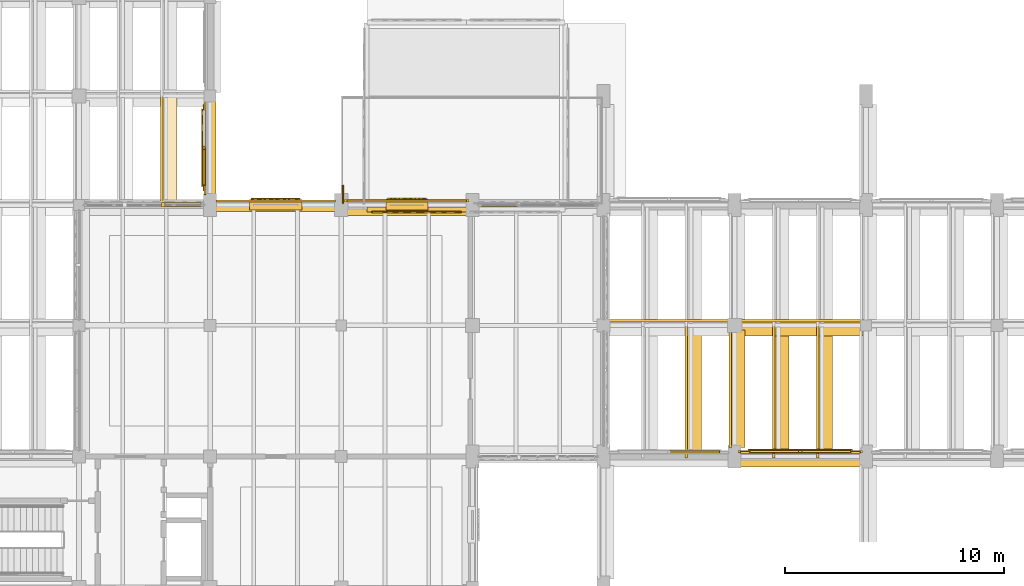
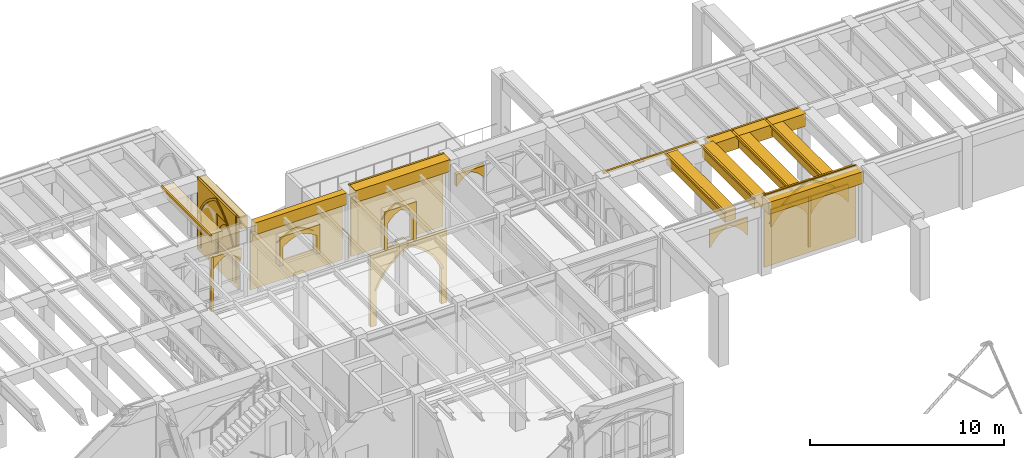
# One storey, part 114 of 127: 42 coverings, 1 railing.
"""IFC4 building model written with IfcOpenShell, lengths in metres."""

from ifc_helpers import new_model, si_unit, direction, frame, origin, origin_2d, place, context, subcontext, project, spatial, polyline, rectangle, circle, outline, extrude, material, type_object, element, save


model = new_model("IFC4")

# Units and contexts
model_context = context("Model", 3, precision=1e-05, world=origin(), true_north=direction((0.0, 1.0)))
body_context = subcontext(model_context, "Body", "Model", "MODEL_VIEW")
ifc_project = project(units=[si_unit("LENGTHUNIT", "METRE"), si_unit("AREAUNIT", "SQUARE_METRE"), si_unit("VOLUMEUNIT", "CUBIC_METRE"), si_unit("PLANEANGLEUNIT", "RADIAN"), si_unit("MASSUNIT", "GRAM", prefix="KILO")], contexts=[model_context])

# Site, building, storey
site_placement = place(None, origin())
site = spatial("IfcSite", under=ifc_project, at=site_placement, CompositionType="ELEMENT")
building_placement = place(site_placement, origin())
building = spatial("IfcBuilding", under=site, at=building_placement, Name="Cumevento Cable Car Station", CompositionType="ELEMENT")
storey_placement = place(building_placement, frame((0.0, 0.0, 4.5)))
storey = spatial("IfcBuildingStorey", under=building, at=storey_placement, Name="L02", CompositionType="ELEMENT", Elevation=4.5)

# Railing
ifc_material_1 = material(Name="Painted Galvanised Architectural Steel", Category="steel")
railing_type = type_object("IfcRailingType", Name="Terrace Guardrail GR-T150 1500", PredefinedType="GUARDRAIL", material=ifc_material_1)
railing_placement = place(storey_placement, frame((76.080078125, 56.580078125, 0.0)))
element("IfcRailing", 1, at=railing_placement, inside=storey, type_object=railing_type, Name="Panoramic Terrace Guardrail GR-T150 #22", PredefinedType="GUARDRAIL", context=body_context, shape_type="SweptSolid", body=[
    extrude(circle(Radius=0.02490234375, at=origin_2d()), frame((0.0, 0.0, 1.47509765625), z_axis=(0.0, 1.0, 0.0), x_axis=(-1.0, 0.0, 0.0)), (0.0, 0.0, 1.0), 0.81982421875),
    extrude(circle(Radius=0.02099609375, at=origin_2d()), origin(), (0.0, 0.0, 1.0), 1.449951171875),
    extrude(circle(Radius=0.02099609375, at=origin_2d()), frame((0.0, 0.81982421875, 0.0)), (0.0, 0.0, 1.0), 1.449951171875),
])

# Coverings
ifc_material_2 = material(Name="Gnaisse Facoidal Stone Ashlar 85 MPa", Category="masonry")
covering_type = type_object("IfcCoveringType", Name="Gnaisse Ashlar Cladding CV-CL01", PredefinedType="CLADDING", material=ifc_material_2)
covering_1_placement = place(storey_placement, frame((73.0, 56.409912109375, 3.702880859375), z_axis=(0.0, 0.0, 1.0), x_axis=(1.0, 0.0, 0.0)))
element("IfcCovering", 2, at=covering_1_placement, inside=storey, type_object=covering_type, Name="Gothic Stone Spandrel Stringcourse sc:0394", PredefinedType="CLADDING", context=body_context, shape_type="SweptSolid", body=[
    extrude(rectangle(XDim=5.4599609375, YDim=0.3798828125, at=origin_2d()), origin(), (0.0, 0.0, 1.0), 0.7470703125),
])
covering_2_placement = place(storey_placement, frame((79.0, 56.35009765625, 3.796875), z_axis=(0.0, 0.0, 1.0), x_axis=(1.0, 0.0, 0.0)))
element("IfcCovering", 3, at=covering_2_placement, inside=storey, type_object=covering_type, Name="Gothic Stone Spandrel Stringcourse sc:0395", PredefinedType="CLADDING", context=body_context, shape_type="SweptSolid", body=[
    extrude(rectangle(XDim=5.639892578125, YDim=0.659912109375, at=origin_2d()), origin(), (0.0, 0.0, 1.0), 0.7470703125),
])
covering_3_placement = place(storey_placement, frame((79.0, 56.70751953125, 4.4140625), z_axis=(0.0, 0.0, 1.0), x_axis=(1.0, 0.0, 0.0)))
element("IfcCovering", 4, at=covering_3_placement, inside=storey, type_object=covering_type, Name="Gothic Cornice Dripstone Lip sc:0395", PredefinedType="CLADDING", context=body_context, shape_type="SweptSolid", body=[
    extrude(rectangle(XDim=5.679931640625, YDim=0.114990234375, at=origin_2d()), origin(), (0.0, 0.0, 1.0), 0.1298828125),
])
covering_4_placement = place(storey_placement, frame((97.0, 44.85009765625, 3.722900390625), z_axis=(0.0, 0.0, 1.0), x_axis=(1.0, 0.0, 0.0)))
element("IfcCovering", 5, at=covering_4_placement, inside=storey, type_object=covering_type, Name="Gothic Stone Spandrel Stringcourse sc:0400", PredefinedType="CLADDING", context=body_context, shape_type="SweptSolid", body=[
    extrude(rectangle(XDim=5.639892578125, YDim=0.659912109375, at=origin_2d()), origin(), (0.0, 0.0, 1.0), 0.7470703125),
])
covering_5_placement = place(storey_placement, frame((97.0, 45.20751953125, 4.340087890625), z_axis=(0.0, 0.0, 1.0), x_axis=(1.0, 0.0, 0.0)))
element("IfcCovering", 6, at=covering_5_placement, inside=storey, type_object=covering_type, Name="Gothic Cornice Dripstone Lip sc:0400", PredefinedType="CLADDING", context=body_context, shape_type="SweptSolid", body=[
    extrude(rectangle(XDim=5.679931640625, YDim=0.114990234375, at=origin_2d()), origin(), (0.0, 0.0, 1.0), 0.1298828125),
])
covering_6_placement = place(storey_placement, frame((90.987548828125, 51.212890625, 4.340087890625), z_axis=(0.0, 0.0, 1.0), x_axis=(1.0, 0.0, 0.0)))
element("IfcCovering", 7, at=covering_6_placement, inside=storey, type_object=covering_type, Name="Gothic Cornice Dripstone Lip sc:0404", PredefinedType="CLADDING", context=body_context, shape_type="SweptSolid", body=[
    extrude(rectangle(XDim=5.655029296875, YDim=0.114990234375, at=origin_2d()), origin(), (0.0, 0.0, 1.0), 0.1298828125),
])
covering_7_placement = place(storey_placement, frame((97.03759765625, 50.85009765625, 3.6728515625), z_axis=(0.0, 0.0, 1.0), x_axis=(1.0, 0.0, 0.0)))
element("IfcCovering", 8, at=covering_7_placement, inside=storey, type_object=covering_type, Name="Gothic Stone Spandrel Stringcourse sc:0405", PredefinedType="CLADDING", context=body_context, shape_type="SweptSolid", body=[
    extrude(rectangle(XDim=5.6650390625, YDim=0.659912109375, at=origin_2d()), origin(), (0.0, 0.0, 1.0), 0.797119140625),
])
covering_8_placement = place(storey_placement, frame((97.03759765625, 51.20751953125, 4.340087890625), z_axis=(0.0, 0.0, 1.0), x_axis=(1.0, 0.0, 0.0)))
element("IfcCovering", 9, at=covering_8_placement, inside=storey, type_object=covering_type, Name="Gothic Cornice Dripstone Lip sc:0405", PredefinedType="CLADDING", context=body_context, shape_type="SweptSolid", body=[
    extrude(rectangle(XDim=5.705078125, YDim=0.114990234375, at=origin_2d()), origin(), (0.0, 0.0, 1.0), 0.1298828125),
])
covering_9_placement = place(storey_placement, frame((94.14990234375, 48.10009765625, 3.6728515625), z_axis=(0.0, 0.0, 1.0), x_axis=(0.0, 1.0, 0.0)))
element("IfcCovering", 10, at=covering_9_placement, inside=storey, type_object=covering_type, Name="Gothic Stone Spandrel Stringcourse sc:0414", PredefinedType="CLADDING", context=body_context, shape_type="SweptSolid", body=[
    extrude(rectangle(XDim=5.389892578125, YDim=0.659912109375, at=origin_2d()), origin(), (0.0, 0.0, 1.0), 0.797119140625),
])
covering_10_placement = place(storey_placement, frame((93.79248046875, 48.10009765625, 4.340087890625), z_axis=(0.0, 0.0, 1.0), x_axis=(0.0, 1.0, 0.0)))
element("IfcCovering", 11, at=covering_10_placement, inside=storey, type_object=covering_type, Name="Gothic Cornice Dripstone Lip sc:0414", PredefinedType="CLADDING", context=body_context, shape_type="SweptSolid", body=[
    extrude(rectangle(XDim=5.429931640625, YDim=0.114990234375, at=origin_2d()), origin(), (0.0, 0.0, 1.0), 0.1298828125),
])
covering_11_placement = place(storey_placement, frame((70.090087890625, 59.125, 3.702880859375), z_axis=(0.0, 0.0, 1.0), x_axis=(0.0, 1.0, 0.0)))
element("IfcCovering", 12, at=covering_11_placement, inside=storey, type_object=covering_type, Name="Gothic Stone Spandrel Stringcourse sc:0436", PredefinedType="CLADDING", context=body_context, shape_type="SweptSolid", body=[
    extrude(rectangle(XDim=4.260009765625, YDim=0.3798828125, at=origin_2d()), origin(), (0.0, 0.0, 1.0), 0.7470703125),
])
covering_12_placement = place(storey_placement, frame((92.14990234375, 47.99169921875, 3.77490234375), z_axis=(0.0, 0.0, 1.0), x_axis=(0.0, 1.0, 0.0)))
element("IfcCovering", 13, at=covering_12_placement, inside=storey, type_object=covering_type, Name="Gothic Stone Spandrel Stringcourse sc:0522", PredefinedType="CLADDING", context=body_context, shape_type="SweptSolid", body=[
    extrude(rectangle(XDim=6.069580078125, YDim=0.659912109375, at=origin_2d()), origin(), (0.0, 0.0, 1.0), 0.695068359375),
])
covering_13_placement = place(storey_placement, frame((91.79248046875, 47.99169921875, 4.340087890625), z_axis=(0.0, 0.0, 1.0), x_axis=(0.0, 1.0, 0.0)))
element("IfcCovering", 14, at=covering_13_placement, inside=storey, type_object=covering_type, Name="Gothic Cornice Dripstone Lip sc:0522", PredefinedType="CLADDING", context=body_context, shape_type="SweptSolid", body=[
    extrude(rectangle(XDim=6.109619140625, YDim=0.114990234375, at=origin_2d()), origin(), (0.0, 0.0, 1.0), 0.1298828125),
])
covering_14_placement = place(storey_placement, frame((96.14990234375, 47.9970703125, 3.77490234375), z_axis=(0.0, 0.0, 1.0), x_axis=(0.0, 1.0, 0.0)))
element("IfcCovering", 15, at=covering_14_placement, inside=storey, type_object=covering_type, Name="Gothic Stone Spandrel Stringcourse sc:0524", PredefinedType="CLADDING", context=body_context, shape_type="SweptSolid", body=[
    extrude(rectangle(XDim=6.080078125, YDim=0.659912109375, at=origin_2d()), origin(), (0.0, 0.0, 1.0), 0.695068359375),
])
covering_15_placement = place(storey_placement, frame((95.79248046875, 47.9970703125, 4.340087890625), z_axis=(0.0, 0.0, 1.0), x_axis=(0.0, 1.0, 0.0)))
element("IfcCovering", 16, at=covering_15_placement, inside=storey, type_object=covering_type, Name="Gothic Cornice Dripstone Lip sc:0524", PredefinedType="CLADDING", context=body_context, shape_type="SweptSolid", body=[
    extrude(rectangle(XDim=6.1201171875, YDim=0.114990234375, at=origin_2d()), origin(), (0.0, 0.0, 1.0), 0.1298828125),
])
covering_16_placement = place(storey_placement, frame((98.14990234375, 47.9970703125, 3.77490234375), z_axis=(0.0, 0.0, 1.0), x_axis=(0.0, 1.0, 0.0)))
element("IfcCovering", 17, at=covering_16_placement, inside=storey, type_object=covering_type, Name="Gothic Stone Spandrel Stringcourse sc:0526", PredefinedType="CLADDING", context=body_context, shape_type="SweptSolid", body=[
    extrude(rectangle(XDim=6.080078125, YDim=0.659912109375, at=origin_2d()), origin(), (0.0, 0.0, 1.0), 0.695068359375),
])
covering_17_placement = place(storey_placement, frame((97.79248046875, 47.9970703125, 4.340087890625), z_axis=(0.0, 0.0, 1.0), x_axis=(0.0, 1.0, 0.0)))
element("IfcCovering", 18, at=covering_17_placement, inside=storey, type_object=covering_type, Name="Gothic Cornice Dripstone Lip sc:0526", PredefinedType="CLADDING", context=body_context, shape_type="SweptSolid", body=[
    extrude(rectangle(XDim=6.1201171875, YDim=0.114990234375, at=origin_2d()), origin(), (0.0, 0.0, 1.0), 0.1298828125),
])
covering_18_placement = place(storey_placement, frame((68.14990234375, 59.0029296875, 3.908935546875), z_axis=(0.0, 0.0, 1.0), x_axis=(0.0, 1.0, 0.0)))
element("IfcCovering", 19, at=covering_18_placement, inside=storey, type_object=covering_type, Name="Gothic Stone Spandrel Stringcourse sc:0550", PredefinedType="CLADDING", context=body_context, shape_type="SweptSolid", body=[
    extrude(rectangle(XDim=5.077880859375, YDim=0.659912109375, at=origin_2d()), origin(), (0.0, 0.0, 1.0), 0.541015625),
])
covering_19_placement = place(storey_placement, frame((67.79248046875, 59.0029296875, 4.320068359375), z_axis=(0.0, 0.0, 1.0), x_axis=(0.0, 1.0, 0.0)))
element("IfcCovering", 20, at=covering_19_placement, inside=storey, type_object=covering_type, Name="Gothic Cornice Dripstone Lip sc:0550", PredefinedType="CLADDING", context=body_context, shape_type="SweptSolid", body=[
    extrude(rectangle(XDim=5.117919921875, YDim=0.114990234375, at=origin_2d()), origin(), (0.0, 0.0, 1.0), 0.1298828125),
])
covering_20_placement = place(storey_placement, frame((64.25, 56.5, -0.3701171875), z_axis=(0.0, 0.0, 1.0), x_axis=(1.0, 0.0, 0.0)))
element("IfcCovering", 21, at=covering_20_placement, inside=storey, type_object=covering_type, Name="Gothic Bifora Stone Colonnette cw_ogival:0059 #2", PredefinedType="CLADDING", context=body_context, shape_type="SweptSolid", body=[
    extrude(outline(polyline([(3.530029296875, -0.02001953125), (3.679931640625, -0.02001953125), (3.679931640625, 3.3779296875), (3.530029296875, 3.3779296875), (3.530029296875, -0.02001953125)])), frame((0.0, 0.1279296875, 0.0), z_axis=(0.0, -1.0, 0.0), x_axis=(1.0, 0.0, 0.0)), (0.0, 0.0, 1.0), 0.205078125),
])
covering_21_placement = place(storey_placement, frame((67.89990234375, 56.5, 2.265625), z_axis=(0.0, 0.0, 1.0), x_axis=(1.0, 0.0, 0.0)))
element("IfcCovering", 22, at=covering_21_placement, inside=storey, type_object=covering_type, Name="Gothic Ogival Pointed-Arch Stone Spandrel cw_ogival:0059:sub:2", PredefinedType="CLADDING", context=body_context, shape_type="SweptSolid", body=[
    extrude(outline(polyline([(-0.02001953125, 0.0), (-0.02001953125, 0.7421875), (1.68994140625, 0.7421875), (1.68994140625, 0.0), (1.6298828125, 0.0), (1.5263671875, 0.1357421875), (1.409423828125, 0.26025390625), (1.2802734375, 0.372314453125), (1.140625, 0.470703125), (0.99169921875, 0.55419921875), (0.8349609375, 0.622314453125), (0.67822265625, 0.55419921875), (0.529296875, 0.470703125), (0.3896484375, 0.372314453125), (0.260498046875, 0.26025390625), (0.1435546875, 0.1357421875), (0.0400390625, 0.0), (-0.02001953125, 0.0)])), frame((0.0, 0.1240234375, 0.0), z_axis=(0.0, -1.0, 0.0), x_axis=(1.0, 0.0, 0.0)), (0.0, 0.0, 1.0), 0.199951171875),
])
covering_22_placement = place(storey_placement, frame((82.429931640625, 56.5, 2.388671875), z_axis=(0.0, 0.0, 1.0), x_axis=(1.0, 0.0, 0.0)))
element("IfcCovering", 23, at=covering_22_placement, inside=storey, type_object=covering_type, Name="Gothic Ogival Pointed-Arch Stone Spandrel cw_ogival:0061:sub:0", PredefinedType="CLADDING", context=body_context, shape_type="SweptSolid", body=[
    extrude(outline(polyline([(-0.02001953125, 0.0), (-0.02001953125, 0.7490234375), (1.67333984375, 0.7490234375), (1.67333984375, 0.0), (1.61328125, 0.0), (1.51171875, 0.136962890625), (1.396728515625, 0.2626953125), (1.269287109375, 0.3759765625), (1.130615234375, 0.4755859375), (0.982666015625, 0.56005859375), (0.82666015625, 0.62890625), (0.670654296875, 0.56005859375), (0.522705078125, 0.4755859375), (0.384033203125, 0.3759765625), (0.256591796875, 0.2626953125), (0.1416015625, 0.136962890625), (0.0400390625, 0.0), (-0.02001953125, 0.0)])), frame((0.0, 0.1240234375, 0.0), z_axis=(0.0, -1.0, 0.0), x_axis=(1.0, 0.0, 0.0)), (0.0, 0.0, 1.0), 0.199951171875),
])
covering_23_placement = place(storey_placement, frame((91.044921875, 45.0, 2.340087890625), z_axis=(0.0, 0.0, 1.0), x_axis=(1.0, 0.0, 0.0)))
element("IfcCovering", 24, at=covering_23_placement, inside=storey, type_object=covering_type, Name="Gothic Ogival Pointed-Arch Stone Spandrel blind_ogival:0048:sub:1", PredefinedType="CLADDING", context=body_context, shape_type="SweptSolid", body=[
    extrude(outline(polyline([(-0.02001953125, 0.0), (-0.02001953125, 1.115966796875), (2.264892578125, 1.115966796875), (2.264892578125, 0.0), (2.205078125, 0.0), (2.076171875, 0.214111328125), (1.923828125, 0.412109375), (1.75, 0.591552734375), (1.556640625, 0.75), (1.3466796875, 0.88525390625), (1.12255859375, 0.99609375), (0.8984375, 0.88525390625), (0.6884765625, 0.75), (0.4951171875, 0.591552734375), (0.3212890625, 0.412109375), (0.1689453125, 0.214111328125), (0.0400390625, 0.0), (-0.02001953125, 0.0)])), frame((0.0, 0.25390625, 0.0), z_axis=(0.0, -1.0, 0.0), x_axis=(1.0, 0.0, 0.0)), (0.0, 0.0, 1.0), 0.090087890625),
])
covering_24_placement = place(storey_placement, frame((94.300048828125, 45.0, 0.0), z_axis=(0.0, 0.0, 1.0), x_axis=(1.0, 0.0, 0.0)))
element("IfcCovering", 25, at=covering_24_placement, inside=storey, type_object=covering_type, Name="Exterior Gnaisse Stone Wall Ashlar #49", PredefinedType="CLADDING", context=body_context, shape_type="SweptSolid", body=[
    extrude(outline(polyline([(-0.0400390625, -0.02001953125), (5.43994140625, -0.02001953125), (5.43994140625, 4.52001953125), (-0.0400390625, 4.52001953125), (-0.0400390625, -0.02001953125)])), frame((0.0, 0.22509765625, 0.0), z_axis=(0.0, -1.0, 0.0), x_axis=(1.0, 0.0, 0.0)), (0.0, 0.0, 1.0), 0.0849609375),
])
placement_1 = place(storey_placement, frame((94.47998046875, 45.0, 0.300048828125), z_axis=(0.0, 0.0, 1.0), x_axis=(1.0, 0.0, 0.0)))
element("IfcCovering", 26, at=placement_1, inside=storey, type_object=covering_type, Name="Gothic Ogival Pointed-Arch Stone Spandrel blind_ogival:0049", PredefinedType="CLADDING", context=body_context, shape_type="SweptSolid", body=[
    extrude(outline(polyline([(-0.050048828125, 0.0), (-0.050048828125, 4.239990234375), (5.090087890625, 4.239990234375), (5.090087890625, 0.0), (4.780029296875, 0.0), (4.780029296875, 2.219970703125), (4.531982421875, 2.55810546875), (4.255126953125, 2.872802734375), (3.951416015625, 3.161865234375), (3.62353515625, 3.423095703125), (3.273681640625, 3.654296875), (2.905029296875, 3.853759765625), (2.52001953125, 4.02001953125), (2.135009765625, 3.853759765625), (1.766357421875, 3.654296875), (1.41650390625, 3.423095703125), (1.088623046875, 3.161865234375), (0.784912109375, 2.872802734375), (0.508056640625, 2.55810546875), (0.260009765625, 2.219970703125), (0.260009765625, 0.0), (-0.050048828125, 0.0)])), frame((0.0, 0.280029296875, 0.0), z_axis=(0.0, -1.0, 0.0), x_axis=(1.0, 0.0, 0.0)), (0.0, 0.0, 1.0), 0.110107421875),
])
covering_26_placement = place(storey_placement, frame((94.47998046875, 45.0, 2.52001953125), z_axis=(0.0, 0.0, 1.0), x_axis=(1.0, 0.0, 0.0)))
element("IfcCovering", 27, at=covering_26_placement, inside=storey, type_object=covering_type, Name="Gothic Pointed Archivolt Hood Moulding blind_ogival:0049", PredefinedType="CLADDING", context=body_context, shape_type="SweptSolid", body=[
    extrude(outline(polyline([(0.260009765625, 0.0), (0.508056640625, 0.338134765625), (0.784912109375, 0.65283203125), (1.088623046875, 0.94189453125), (1.41650390625, 1.203125), (1.766357421875, 1.434326171875), (2.135009765625, 1.6337890625), (2.52001953125, 1.800048828125), (2.905029296875, 1.6337890625), (3.273681640625, 1.434326171875), (3.62353515625, 1.203125), (3.951416015625, 0.94189453125), (4.255126953125, 0.65283203125), (4.531982421875, 0.338134765625), (4.780029296875, 0.0), (4.90087890625, 0.0), (4.6435546875, 0.365478515625), (4.354248046875, 0.706298828125), (4.03564453125, 1.01953125), (3.689697265625, 1.302978515625), (3.31982421875, 1.553955078125), (2.928955078125, 1.770751953125), (2.52001953125, 1.951171875), (2.111083984375, 1.770751953125), (1.72021484375, 1.553955078125), (1.350341796875, 1.302978515625), (1.00439453125, 1.01953125), (0.685791015625, 0.706298828125), (0.396484375, 0.365478515625), (0.138916015625, 0.0), (0.260009765625, 0.0)])), frame((0.0, 0.322021484375, 0.0), z_axis=(0.0, -1.0, 0.0), x_axis=(1.0, 0.0, 0.0)), (0.0, 0.0, 1.0), 0.06689453125),
])
element("IfcCovering", 28, at=placement_1, inside=storey, type_object=covering_type, Name="Gothic Bifora Stone Colonnette blind_ogival:0049 #1", PredefinedType="CLADDING", context=body_context, shape_type="SweptSolid", body=[
    extrude(outline(polyline([(2.445068359375, -0.02001953125), (2.594970703125, -0.02001953125), (2.594970703125, 3.156005859375), (2.445068359375, 3.156005859375), (2.445068359375, -0.02001953125)])), frame((0.0, 0.26806640625, 0.0), z_axis=(0.0, -1.0, 0.0), x_axis=(1.0, 0.0, 0.0)), (0.0, 0.0, 1.0), 0.094970703125),
])
for number, where, z_axis, x_axis, name in (
    (29, (94.7099609375, 45.0, 2.340087890625), (0.0, 0.0, 1.0), (1.0, 0.0, 0.0), "Gothic Ogival Pointed-Arch Stone Spandrel blind_ogival:0049:sub:0"),
    (30, (97.044921875, 45.0, 2.340087890625), (0.0, 0.0, 1.0), (1.0, 0.0, 0.0), "Gothic Ogival Pointed-Arch Stone Spandrel blind_ogival:0049:sub:1"),
):
    element("IfcCovering", number, at=place(storey_placement, frame(where, z_axis=z_axis, x_axis=x_axis)), inside=storey, type_object=covering_type, Name=name, PredefinedType="CLADDING", context=body_context, shape_type="SweptSolid", body=[
        extrude(outline(polyline([(-0.02001953125, 0.0), (-0.02001953125, 1.115966796875), (2.264892578125, 1.115966796875), (2.264892578125, 0.0), (2.205078125, 0.0), (2.076171875, 0.214111328125), (1.923828125, 0.412109375), (1.75, 0.591552734375), (1.556640625, 0.75), (1.3466796875, 0.88525390625), (1.12255859375, 0.99609375), (0.8984375, 0.88525390625), (0.6884765625, 0.75), (0.4951171875, 0.591552734375), (0.3212890625, 0.412109375), (0.1689453125, 0.214111328125), (0.0400390625, 0.0), (-0.02001953125, 0.0)])), frame((0.0, 0.263916015625, 0.0), z_axis=(0.0, -1.0, 0.0), x_axis=(1.0, 0.0, 0.0)), (0.0, 0.0, 1.0), 0.090087890625),
    ])
covering_28_placement = place(storey_placement, frame((70.0, 57.02490234375, 0.0), z_axis=(0.0, 0.0, 1.0), x_axis=(0.0, 1.0, 0.0)))
element("IfcCovering", 31, at=covering_28_placement, inside=storey, type_object=covering_type, Name="Exterior Gnaisse Stone Wall Ashlar #71", PredefinedType="CLADDING", context=body_context, shape_type="SweptSolid", body=[
    extrude(outline(polyline([(-0.0400390625, -0.02001953125), (4.239990234375, -0.02001953125), (4.239990234375, 4.52001953125), (-0.0400390625, 4.52001953125), (-0.0400390625, -0.02001953125)])), frame((0.0, 0.27490234375, 0.0), z_axis=(0.0, -1.0, 0.0), x_axis=(1.0, 0.0, 0.0)), (0.0, 0.0, 1.0), 0.0849609375),
])
placement_2 = place(storey_placement, frame((70.0, 57.205078125, 0.300048828125), z_axis=(0.0, 0.0, 1.0), x_axis=(0.0, 1.0, 0.0)))
element("IfcCovering", 32, at=placement_2, inside=storey, type_object=covering_type, Name="Gothic Ogival Pointed-Arch Stone Spandrel blind_ogival:0071", PredefinedType="CLADDING", context=body_context, shape_type="SweptSolid", body=[
    extrude(outline(polyline([(-0.050048828125, 0.0), (-0.050048828125, 4.239990234375), (3.889892578125, 4.239990234375), (3.889892578125, 0.0), (3.580078125, 0.0), (3.580078125, 2.219970703125), (3.434326171875, 2.547119140625), (3.25390625, 2.8564453125), (3.041015625, 3.14453125), (2.798095703125, 3.407958984375), (2.5283203125, 3.643310546875), (2.234375, 3.84814453125), (1.919921875, 4.02001953125), (1.605712890625, 3.84814453125), (1.311767578125, 3.643310546875), (1.0419921875, 3.407958984375), (0.799072265625, 3.14453125), (0.586181640625, 2.8564453125), (0.40576171875, 2.547119140625), (0.260009765625, 2.219970703125), (0.260009765625, 0.0), (-0.050048828125, 0.0)])), frame((0.0, 0.330078125, 0.0), z_axis=(0.0, -1.0, 0.0), x_axis=(1.0, 0.0, 0.0)), (0.0, 0.0, 1.0), 0.110107421875),
])
covering_30_placement = place(storey_placement, frame((70.0, 57.205078125, 2.52001953125), z_axis=(0.0, 0.0, 1.0), x_axis=(0.0, 1.0, 0.0)))
element("IfcCovering", 33, at=covering_30_placement, inside=storey, type_object=covering_type, Name="Gothic Pointed Archivolt Hood Moulding blind_ogival:0071", PredefinedType="CLADDING", context=body_context, shape_type="SweptSolid", body=[
    extrude(outline(polyline([(0.260009765625, 0.0), (0.40576171875, 0.3271484375), (0.586181640625, 0.636474609375), (0.799072265625, 0.924560546875), (1.0419921875, 1.18798828125), (1.311767578125, 1.42333984375), (1.605712890625, 1.628173828125), (1.919921875, 1.800048828125), (2.234375, 1.628173828125), (2.5283203125, 1.42333984375), (2.798095703125, 1.18798828125), (3.041015625, 0.924560546875), (3.25390625, 0.636474609375), (3.434326171875, 0.3271484375), (3.580078125, 0.0), (3.700927734375, 0.0), (3.546142578125, 0.354248046875), (3.353759765625, 0.689453125), (3.125732421875, 1.001708984375), (2.865234375, 1.287109375), (2.574951171875, 1.54248046875), (2.2587890625, 1.764892578125), (1.919921875, 1.951171875), (1.581298828125, 1.764892578125), (1.26513671875, 1.54248046875), (0.974853515625, 1.287109375), (0.71435546875, 1.001708984375), (0.486328125, 0.689453125), (0.2939453125, 0.354248046875), (0.138916015625, 0.0), (0.260009765625, 0.0)])), frame((0.0, 0.3720703125, 0.0), z_axis=(0.0, -1.0, 0.0), x_axis=(1.0, 0.0, 0.0)), (0.0, 0.0, 1.0), 0.06689453125),
])
element("IfcCovering", 34, at=placement_2, inside=storey, type_object=covering_type, Name="Gothic Bifora Stone Colonnette blind_ogival:0071 #1", PredefinedType="CLADDING", context=body_context, shape_type="SweptSolid", body=[
    extrude(outline(polyline([(1.844970703125, -0.02001953125), (1.9951171875, -0.02001953125), (1.9951171875, 3.156005859375), (1.844970703125, 3.156005859375), (1.844970703125, -0.02001953125)])), frame((0.0, 0.318115234375, 0.0), z_axis=(0.0, -1.0, 0.0), x_axis=(1.0, 0.0, 0.0)), (0.0, 0.0, 1.0), 0.094970703125),
])
covering_32_placement = place(storey_placement, frame((70.0, 57.43505859375, 2.340087890625), z_axis=(0.0, 0.0, 1.0), x_axis=(0.0, 1.0, 0.0)))
element("IfcCovering", 35, at=covering_32_placement, inside=storey, type_object=covering_type, Name="Gothic Ogival Pointed-Arch Stone Spandrel blind_ogival:0071:sub:0", PredefinedType="CLADDING", context=body_context, shape_type="SweptSolid", body=[
    extrude(outline(polyline([(-0.02001953125, 0.0), (-0.02001953125, 1.115966796875), (1.6650390625, 1.115966796875), (1.6650390625, 0.0), (1.60498046875, 0.0), (1.536865234375, 0.206298828125), (1.44091796875, 0.40087890625), (1.31884765625, 0.58056640625), (1.17333984375, 0.74169921875), (1.0068359375, 0.881103515625), (0.822509765625, 0.99609375), (0.63818359375, 0.881103515625), (0.4716796875, 0.74169921875), (0.326171875, 0.58056640625), (0.2041015625, 0.40087890625), (0.108154296875, 0.206298828125), (0.0400390625, 0.0), (-0.02001953125, 0.0)])), frame((0.0, 0.31396484375, 0.0), z_axis=(0.0, -1.0, 0.0), x_axis=(1.0, 0.0, 0.0)), (0.0, 0.0, 1.0), 0.090087890625),
])
covering_33_placement = place(storey_placement, frame((70.300048828125, 56.5, 0.0), z_axis=(0.0, 0.0, 1.0), x_axis=(1.0, 0.0, 0.0)))
element("IfcCovering", 36, at=covering_33_placement, inside=storey, type_object=covering_type, Name="Exterior Gnaisse Stone Wall Ashlar #200", PredefinedType="CLADDING", context=body_context, shape_type="SweptSolid", body=[
    extrude(outline(polyline([(-0.0400390625, -0.02001953125), (5.43994140625, -0.02001953125), (5.43994140625, 3.782958984375), (-0.0400390625, 3.782958984375), (-0.0400390625, -0.02001953125)]), holes=[polyline([(1.68505859375, 1.2099609375), (3.715087890625, 1.2099609375), (3.715087890625, 2.739990234375), (1.68505859375, 2.739990234375), (1.68505859375, 1.2099609375)])]), frame((0.0, 0.22998046875, 0.0), z_axis=(0.0, -1.0, 0.0), x_axis=(1.0, 0.0, 0.0)), (0.0, 0.0, 1.0), 0.0849609375),
])
covering_34_placement = place(storey_placement, frame((71.8349609375, 56.5, 1.14990234375), z_axis=(0.0, 0.0, 1.0), x_axis=(1.0, 0.0, 0.0)))
element("IfcCovering", 37, at=covering_34_placement, inside=storey, type_object=covering_type, Name="Gothic Ogival Pointed-Arch Stone Spandrel op_ogival:0200:1", PredefinedType="CLADDING", context=body_context, shape_type="SweptSolid", body=[
    extrude(outline(polyline([(-0.0400390625, 0.0), (-0.0400390625, 1.820068359375), (2.3701171875, 1.820068359375), (2.3701171875, 0.0), (2.18994140625, 0.0), (2.18994140625, 1.166015625), (2.056396484375, 1.25830078125), (1.917724609375, 1.3427734375), (1.7744140625, 1.419189453125), (1.627197265625, 1.4873046875), (1.47607421875, 1.546875), (1.32177734375, 1.597900390625), (1.1650390625, 1.64013671875), (1.00830078125, 1.597900390625), (0.85400390625, 1.546875), (0.702880859375, 1.4873046875), (0.5556640625, 1.419189453125), (0.412353515625, 1.3427734375), (0.273681640625, 1.25830078125), (0.139892578125, 1.166015625), (0.139892578125, 0.0), (-0.0400390625, 0.0)])), frame((0.0, 0.26806640625, 0.0), z_axis=(0.0, -1.0, 0.0), x_axis=(1.0, 0.0, 0.0)), (0.0, 0.0, 1.0), 0.489990234375),
])
covering_35_placement = place(storey_placement, frame((71.8349609375, 56.5, 2.31591796875), z_axis=(0.0, 0.0, 1.0), x_axis=(1.0, 0.0, 0.0)))
element("IfcCovering", 38, at=covering_35_placement, inside=storey, type_object=covering_type, Name="Gothic Pointed Archivolt Hood Moulding op_ogival:0200:1", PredefinedType="CLADDING", context=body_context, shape_type="SweptSolid", body=[
    extrude(outline(polyline([(0.139892578125, 0.0), (0.273681640625, 0.09228515625), (0.412353515625, 0.1767578125), (0.5556640625, 0.253173828125), (0.702880859375, 0.3212890625), (0.85400390625, 0.380859375), (1.00830078125, 0.431884765625), (1.1650390625, 0.47412109375), (1.32177734375, 0.431884765625), (1.47607421875, 0.380859375), (1.627197265625, 0.3212890625), (1.7744140625, 0.253173828125), (1.917724609375, 0.1767578125), (2.056396484375, 0.09228515625), (2.18994140625, 0.0), (2.2890625, 0.0), (2.146728515625, 0.115478515625), (1.9970703125, 0.2216796875), (1.841064453125, 0.31787109375), (1.67919921875, 0.404052734375), (1.511962890625, 0.4794921875), (1.340576171875, 0.544189453125), (1.1650390625, 0.59765625), (0.989501953125, 0.544189453125), (0.818115234375, 0.4794921875), (0.65087890625, 0.404052734375), (0.489013671875, 0.31787109375), (0.3330078125, 0.2216796875), (0.183349609375, 0.115478515625), (0.041015625, 0.0), (0.139892578125, 0.0)])), frame((0.0, 0.31005859375, 0.0), z_axis=(0.0, -1.0, 0.0), x_axis=(1.0, 0.0, 0.0)), (0.0, 0.0, 1.0), 0.06689453125),
])
covering_36_placement = place(storey_placement, frame((76.300048828125, 56.5, 0.0), z_axis=(0.0, 0.0, 1.0), x_axis=(1.0, 0.0, 0.0)))
element("IfcCovering", 39, at=covering_36_placement, inside=storey, type_object=covering_type, Name="Exterior Gnaisse Stone Wall Ashlar #201", PredefinedType="CLADDING", context=body_context, shape_type="SweptSolid", body=[
    extrude(outline(polyline([(-0.0400390625, -0.02001953125), (5.43994140625, -0.02001953125), (5.43994140625, 3.876953125), (-0.0400390625, 3.876953125), (-0.0400390625, -0.02001953125)]), holes=[polyline([(1.929931640625, 0.02001953125), (3.469970703125, 0.02001953125), (3.469970703125, 2.169921875), (1.929931640625, 2.169921875), (1.929931640625, 0.02001953125)])]), frame((0.0, 0.237548828125, 0.0), z_axis=(0.0, -1.0, 0.0), x_axis=(1.0, 0.0, 0.0)), (0.0, 0.0, 1.0), 0.0849609375),
])
covering_37_placement = place(storey_placement, frame((78.080078125, 56.5, -0.050048828125), z_axis=(0.0, 0.0, 1.0), x_axis=(1.0, 0.0, 0.0)))
element("IfcCovering", 40, at=covering_37_placement, inside=storey, type_object=covering_type, Name="Gothic Ogival Pointed-Arch Stone Spandrel op_ogival:0201:1", PredefinedType="CLADDING", context=body_context, shape_type="SweptSolid", body=[
    extrude(outline(polyline([(-0.0400390625, 0.0), (-0.0400390625, 2.449951171875), (1.8798828125, 2.449951171875), (1.8798828125, 0.0), (1.699951171875, 0.0), (1.699951171875, 1.61962890625), (1.616455078125, 1.7412109375), (1.522216796875, 1.854736328125), (1.418212890625, 1.959228515625), (1.3046875, 2.0537109375), (1.183349609375, 2.137451171875), (1.0546875, 2.209716796875), (0.919921875, 2.27001953125), (0.785400390625, 2.209716796875), (0.65673828125, 2.137451171875), (0.535400390625, 2.0537109375), (0.421875, 1.959228515625), (0.31787109375, 1.854736328125), (0.2236328125, 1.7412109375), (0.139892578125, 1.61962890625), (0.139892578125, 0.0), (-0.0400390625, 0.0)])), frame((0.0, 0.275390625, 0.0), z_axis=(0.0, -1.0, 0.0), x_axis=(1.0, 0.0, 0.0)), (0.0, 0.0, 1.0), 0.5048828125),
])
covering_38_placement = place(storey_placement, frame((78.080078125, 56.5, 1.569580078125), z_axis=(0.0, 0.0, 1.0), x_axis=(1.0, 0.0, 0.0)))
element("IfcCovering", 41, at=covering_38_placement, inside=storey, type_object=covering_type, Name="Gothic Pointed Archivolt Hood Moulding op_ogival:0201:1", PredefinedType="CLADDING", context=body_context, shape_type="SweptSolid", body=[
    extrude(outline(polyline([(0.139892578125, 0.0), (0.2236328125, 0.12158203125), (0.31787109375, 0.235107421875), (0.421875, 0.339599609375), (0.535400390625, 0.43408203125), (0.65673828125, 0.517822265625), (0.785400390625, 0.590087890625), (0.919921875, 0.650390625), (1.0546875, 0.590087890625), (1.183349609375, 0.517822265625), (1.3046875, 0.43408203125), (1.418212890625, 0.339599609375), (1.522216796875, 0.235107421875), (1.616455078125, 0.12158203125), (1.699951171875, 0.0), (1.799072265625, 0.0), (1.7080078125, 0.14404296875), (1.603759765625, 0.27880859375), (1.487060546875, 0.40283203125), (1.359130859375, 0.515625), (1.22119140625, 0.615478515625), (1.074462890625, 0.701904296875), (0.919921875, 0.774169921875), (0.765625, 0.701904296875), (0.618896484375, 0.615478515625), (0.48095703125, 0.515625), (0.35302734375, 0.40283203125), (0.236328125, 0.27880859375), (0.132080078125, 0.14404296875), (0.041015625, 0.0), (0.139892578125, 0.0)])), frame((0.0, 0.3173828125, 0.0), z_axis=(0.0, -1.0, 0.0), x_axis=(1.0, 0.0, 0.0)), (0.0, 0.0, 1.0), 0.06689453125),
])
covering_39_placement = place(storey_placement, frame((81.699951171875, 56.35009765625, -4.52001953125), z_axis=(0.0, 0.0, 1.0), x_axis=(-1.0, 0.0, 0.0)))
element("IfcCovering", 42, at=covering_39_placement, inside=storey, type_object=covering_type, Name="Gothic Ogival Pointed-Arch Stone Spandrel cumevento_plinth:bank_arch:SLOPE_NE_W:S:0", PredefinedType="CLADDING", context=body_context, shape_type="SweptSolid", body=[
    extrude(outline(polyline([(-0.030029296875, 0.0), (-0.030029296875, 4.52001953125), (4.530029296875, 4.52001953125), (4.530029296875, 0.0), (4.179931640625, 0.0), (4.179931640625, 2.25), (3.974365234375, 2.683837890625), (3.71630859375, 3.088623046875), (3.40966796875, 3.458251953125), (3.059326171875, 3.78662109375), (2.670654296875, 4.068603515625), (2.25, 4.300048828125), (1.829345703125, 4.068603515625), (1.440673828125, 3.78662109375), (1.09033203125, 3.458251953125), (0.78369140625, 3.088623046875), (0.525634765625, 2.683837890625), (0.320068359375, 2.25), (0.320068359375, 0.0), (-0.030029296875, 0.0)])), frame((0.0, 0.159912109375, 0.0), z_axis=(0.0, -1.0, 0.0), x_axis=(1.0, 0.0, 0.0)), (0.0, 0.0, 1.0), 0.219970703125),
])
covering_40_placement = place(storey_placement, frame((81.699951171875, 56.35009765625, -2.27001953125), z_axis=(0.0, 0.0, 1.0), x_axis=(-1.0, 0.0, 0.0)))
element("IfcCovering", 43, at=covering_40_placement, inside=storey, type_object=covering_type, Name="Gothic Pointed Archivolt Hood Moulding cumevento_plinth:bank_arch:SLOPE_NE_W:S:0", PredefinedType="CLADDING", context=body_context, shape_type="SweptSolid", body=[
    extrude(outline(polyline([(0.320068359375, 0.0), (0.525634765625, 0.433837890625), (0.78369140625, 0.838623046875), (1.09033203125, 1.208251953125), (1.440673828125, 1.53662109375), (1.829345703125, 1.818603515625), (2.25, 2.050048828125), (2.670654296875, 1.818603515625), (3.059326171875, 1.53662109375), (3.40966796875, 1.208251953125), (3.71630859375, 0.838623046875), (3.974365234375, 0.433837890625), (4.179931640625, 0.0), (4.301025390625, 0.0), (4.08447265625, 0.46533203125), (3.811279296875, 0.89990234375), (3.48583984375, 1.296630859375), (3.113037109375, 1.649169921875), (2.698974609375, 1.952392578125), (2.25, 2.201171875), (1.801025390625, 1.952392578125), (1.386962890625, 1.649169921875), (1.01416015625, 1.296630859375), (0.688720703125, 0.89990234375), (0.41552734375, 0.46533203125), (0.198974609375, 0.0), (0.320068359375, 0.0)])), frame((0.0, 0.201904296875, 0.0), z_axis=(0.0, -1.0, 0.0), x_axis=(1.0, 0.0, 0.0)), (0.0, 0.0, 1.0), 0.06689453125),
])

save(model, "model.ifc")
